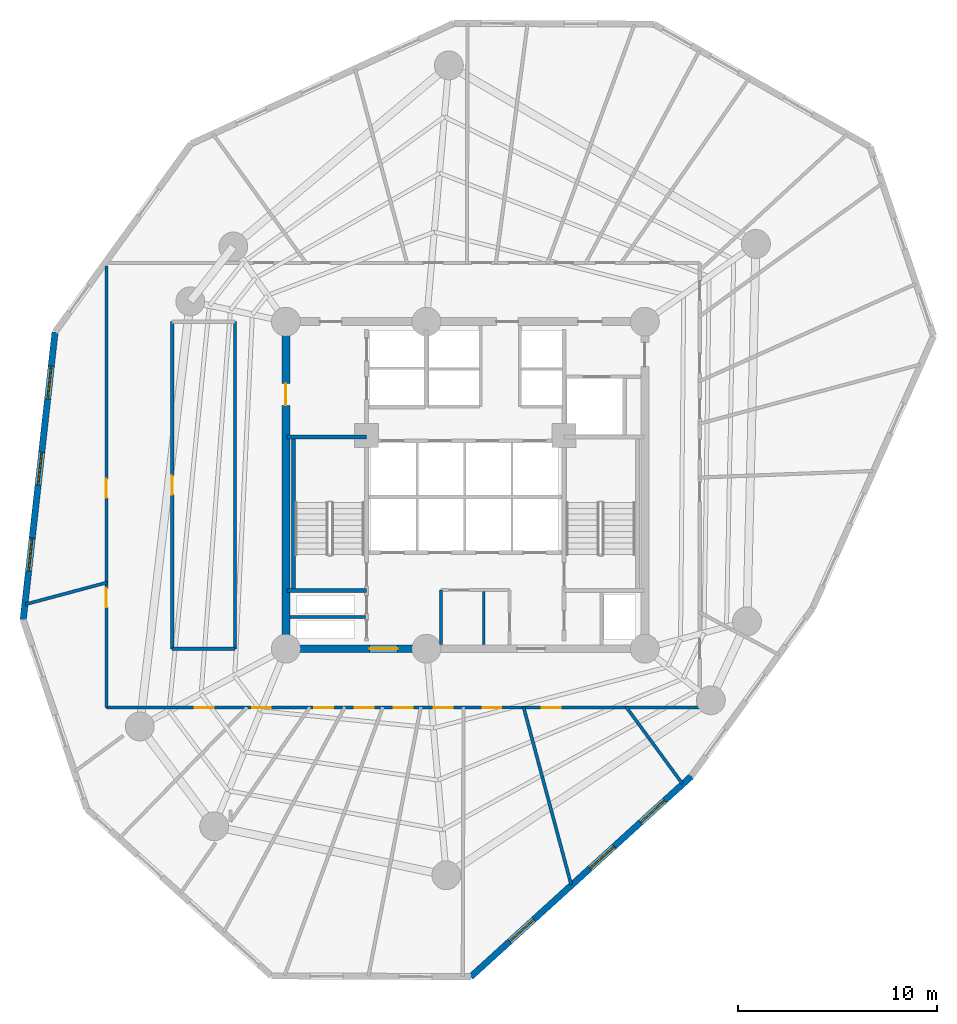
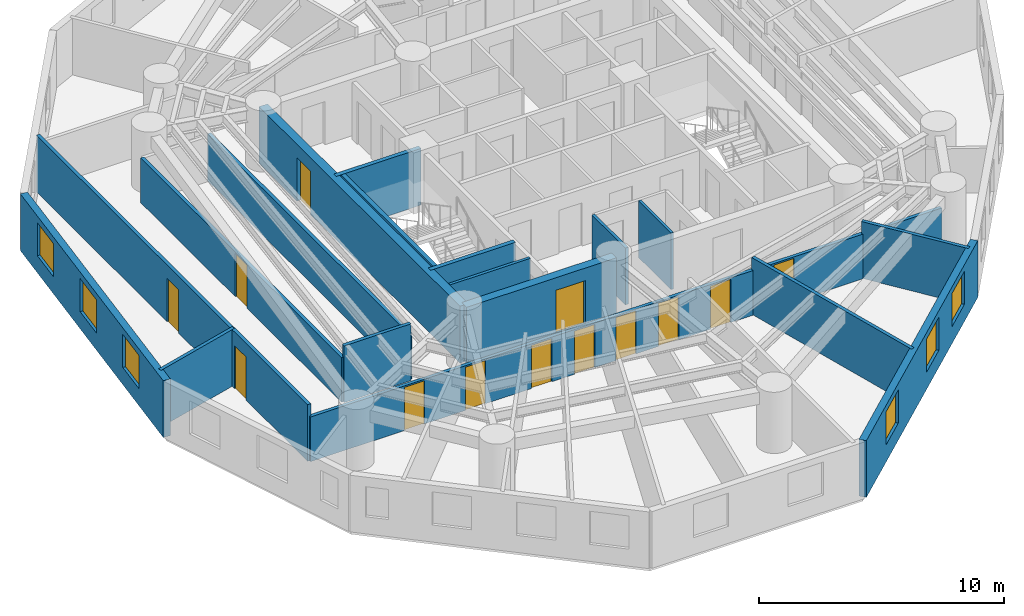
# One storey, part 3 of 8: 18 walls, 13 doors, 6 windows, 19 openings.
"""IFC4 building model written with IfcOpenShell, lengths in metres."""

from ifc_helpers import new_model, si_unit, direction, frame, frame_2d, origin, origin_with_axes, place, context, subcontext, project, spatial, rectangle, extrude, source, transform, mapped, material, layer, layer_set, type_object, element, fill, save


model = new_model("IFC4")

# Units and contexts
model_context = context("Model", 3, precision=1e-05, world=origin(), true_north=direction((0.0, 1.0)))
body_context = subcontext(model_context, "Body", "Model", "MODEL_VIEW")
ifc_project = project(units=[si_unit("LENGTHUNIT", "METRE"), si_unit("AREAUNIT", "SQUARE_METRE"), si_unit("VOLUMEUNIT", "CUBIC_METRE"), si_unit("PLANEANGLEUNIT", "RADIAN"), si_unit("MASSUNIT", "GRAM", prefix="KILO")], contexts=[model_context])

# Site, building, storey
site_placement = place(None, origin())
site = spatial("IfcSite", under=ifc_project, at=site_placement, CompositionType="ELEMENT")
building_placement = place(site_placement, origin())
building = spatial("IfcBuilding", under=site, at=building_placement, Name="Karkom Vertical University and Central Library", CompositionType="ELEMENT")
storey_placement = place(building_placement, frame((0.0, 0.0, 99.25)))
storey = spatial("IfcBuildingStorey", under=building, at=storey_placement, Name="L26", CompositionType="ELEMENT", Elevation=99.25)

# Wall, openings, windows
ifc_material_1 = material(Name="Brick-faced precast concrete C45/55", Category="masonry")
ifc_layer_1 = layer(ifc_material_1, 0.320068359375)
ifc_layer_set_1 = layer_set([ifc_layer_1], Name="Brick-faced precast concrete C45/55")
wall_type_1 = type_object("IfcWallType", Name="ENV-WL-BRK-320", PredefinedType="SOLIDWALL", material=ifc_layer_set_1)
wall_1_placement = place(storey_placement, frame((7.925537109375, 34.18212890625, 0.0), z_axis=(0.0, 0.0, 1.0), x_axis=(-0.11012873841, -0.993917331057, 0.0)))
wall_1 = element("IfcWall", 1, at=wall_1_placement, inside=storey, type_object=wall_type_1, Name="Level 26 Brick-Faced Precast Facade Wall 02", PredefinedType="SOLIDWALL", context=body_context, shape_type="SweptSolid", body=[
    extrude(rectangle(XDim=14.513916015625, YDim=0.320068359375, at=frame_2d((7.2568359375, 0.0))), origin(), (0.0, 0.0, 1.0), 2.824951171875),
])
opening_1_placement = place(wall_1_placement, frame((1.725341796875, 0.0, 0.85009765625)))
opening_1 = element("IfcOpeningElement", 2, at=opening_1_placement, cuts=wall_1, Name="Opening WN-06", PredefinedType="OPENING", context=body_context, shape_type="SweptSolid", body=[
    extrude(rectangle(XDim=1.64990234375, YDim=1.64990234375, at=frame_2d((0.824951171875, 0.824951171875))), frame((0.0, 0.169921875, 0.0), z_axis=(0.0, -1.0, 0.0), x_axis=(1.0, 0.0, 0.0)), (0.0, 0.0, 1.0), 0.340087890625),
])
opening_2_placement = place(wall_1_placement, frame((6.066162109375, 0.0, 0.85009765625)))
opening_2 = element("IfcOpeningElement", 3, at=opening_2_placement, cuts=wall_1, Name="Opening WN-06", PredefinedType="OPENING", context=body_context, shape_type="SweptSolid", body=[
    extrude(rectangle(XDim=1.64990234375, YDim=1.64990234375, at=frame_2d((0.824951171875, 0.824951171875))), frame((0.0, 0.169921875, 0.0), z_axis=(0.0, -1.0, 0.0), x_axis=(1.0, 0.0, 0.0)), (0.0, 0.0, 1.0), 0.340087890625),
])
opening_3_placement = place(wall_1_placement, frame((10.40673828125, 0.0, 0.85009765625)))
opening_3 = element("IfcOpeningElement", 4, at=opening_3_placement, cuts=wall_1, Name="Opening WN-06", PredefinedType="OPENING", context=body_context, shape_type="SweptSolid", body=[
    extrude(rectangle(XDim=1.64990234375, YDim=1.64990234375, at=frame_2d((0.824951171875, 0.824951171875))), frame((0.0, 0.169921875, 0.0), z_axis=(0.0, -1.0, 0.0), x_axis=(1.0, 0.0, 0.0)), (0.0, 0.0, 1.0), 0.340087890625),
])
ifc_material_2 = material(Name="Aluminium thermal-break frame with solar-control IGU", Category="aluminium")
window_type = type_object("IfcWindowType", Name="ENV-WIN-WN-06", PartitioningType="SINGLE_PANEL", PredefinedType="WINDOW", material=ifc_material_2)
shared_shape_1 = source(origin_with_axes(), body_context, "Body", "SweptSolid", [
    extrude(rectangle(XDim=1.64990234375, YDim=1.64990234375, at=frame_2d((0.824951171875, 0.824951171875))), frame((0.0, 0.030029296875, 0.0), z_axis=(0.0, -1.0, 0.0), x_axis=(1.0, 0.0, 0.0)), (0.0, 0.0, 1.0), 0.06005859375),
])
window_1_placement = place(opening_1_placement, origin())
window_1 = element("IfcWindow", 5, at=window_1_placement, inside=storey, type_object=window_type, Name="Level 26 Punched Window 2.1", OverallHeight=1.64990234375, OverallWidth=1.64990234375, PartitioningType="SINGLE_PANEL", PredefinedType="WINDOW", context=body_context, shape_type="MappedRepresentation", body=[
    mapped(shared_shape_1, transform((0.0, 0.0, 0.0), scale=1.0)),
])
fill(opening_1, window_1)
window_2_placement = place(opening_2_placement, origin())
window_2 = element("IfcWindow", 6, at=window_2_placement, inside=storey, type_object=window_type, Name="Level 26 Punched Window 2.2", OverallHeight=1.64990234375, OverallWidth=1.64990234375, PartitioningType="SINGLE_PANEL", PredefinedType="WINDOW", context=body_context, shape_type="MappedRepresentation", body=[
    mapped(shared_shape_1, transform((0.0, 0.0, 0.0), scale=1.0)),
])
fill(opening_2, window_2)
window_3_placement = place(opening_3_placement, origin())
window_3 = element("IfcWindow", 7, at=window_3_placement, inside=storey, type_object=window_type, Name="Level 26 Punched Window 2.3", OverallHeight=1.64990234375, OverallWidth=1.64990234375, PartitioningType="SINGLE_PANEL", PredefinedType="WINDOW", context=body_context, shape_type="MappedRepresentation", body=[
    mapped(shared_shape_1, transform((0.0, 0.0, 0.0), scale=1.0)),
])
fill(opening_3, window_3)

wall_2_placement = place(storey_placement, frame((28.772705078125, 1.85009765625, 0.0), z_axis=(0.0, 0.0, 1.0), x_axis=(0.739889815612, 0.672728073409, 0.0)))
wall_2 = element("IfcWall", 8, at=wall_2_placement, inside=storey, type_object=wall_type_1, Name="Level 26 Brick-Faced Precast Facade Wall 06", PredefinedType="SOLIDWALL", context=body_context, shape_type="SweptSolid", body=[
    extrude(rectangle(XDim=14.947509765625, YDim=0.320068359375, at=frame_2d((7.4736328125, 0.0))), origin(), (0.0, 0.0, 1.0), 2.824951171875),
])
opening_4_placement = place(wall_2_placement, frame((2.629150390625, 0.0, 0.85009765625)))
opening_4 = element("IfcOpeningElement", 9, at=opening_4_placement, cuts=wall_2, Name="Opening WN-06", PredefinedType="OPENING", context=body_context, shape_type="SweptSolid", body=[
    extrude(rectangle(XDim=1.64990234375, YDim=1.64990234375, at=frame_2d((0.824951171875, 0.824951171875))), frame((0.0, 0.169921875, 0.0), z_axis=(0.0, -1.0, 0.0), x_axis=(1.0, 0.0, 0.0)), (0.0, 0.0, 1.0), 0.340087890625),
])
opening_5_placement = place(wall_2_placement, frame((8.06298828125, 0.0, 0.85009765625)))
opening_5 = element("IfcOpeningElement", 10, at=opening_5_placement, cuts=wall_2, Name="Opening WN-06", PredefinedType="OPENING", context=body_context, shape_type="SweptSolid", body=[
    extrude(rectangle(XDim=1.64990234375, YDim=1.64990234375, at=frame_2d((0.824951171875, 0.824951171875))), frame((0.0, 0.169921875, 0.0), z_axis=(0.0, -1.0, 0.0), x_axis=(1.0, 0.0, 0.0)), (0.0, 0.0, 1.0), 0.340087890625),
])
opening_6_placement = place(wall_2_placement, frame((11.50244140625, 0.0, 0.85009765625)))
opening_6 = element("IfcOpeningElement", 11, at=opening_6_placement, cuts=wall_2, Name="Opening WN-06", PredefinedType="OPENING", context=body_context, shape_type="SweptSolid", body=[
    extrude(rectangle(XDim=1.64990234375, YDim=1.64990234375, at=frame_2d((0.824951171875, 0.824951171875))), frame((0.0, 0.169921875, 0.0), z_axis=(0.0, -1.0, 0.0), x_axis=(1.0, 0.0, 0.0)), (0.0, 0.0, 1.0), 0.340087890625),
])
window_4_placement = place(opening_4_placement, origin())
window_4 = element("IfcWindow", 12, at=window_4_placement, inside=storey, type_object=window_type, Name="Level 26 Punched Window 6.1", OverallHeight=1.64990234375, OverallWidth=1.64990234375, PartitioningType="SINGLE_PANEL", PredefinedType="WINDOW", context=body_context, shape_type="MappedRepresentation", body=[
    mapped(shared_shape_1, transform((0.0, 0.0, 0.0), scale=1.0)),
])
fill(opening_4, window_4)
window_5_placement = place(opening_5_placement, origin())
window_5 = element("IfcWindow", 13, at=window_5_placement, inside=storey, type_object=window_type, Name="Level 26 Punched Window 6.2", OverallHeight=1.64990234375, OverallWidth=1.64990234375, PartitioningType="SINGLE_PANEL", PredefinedType="WINDOW", context=body_context, shape_type="MappedRepresentation", body=[
    mapped(shared_shape_1, transform((0.0, 0.0, 0.0), scale=1.0)),
])
fill(opening_5, window_5)
window_6_placement = place(opening_6_placement, origin())
window_6 = element("IfcWindow", 14, at=window_6_placement, inside=storey, type_object=window_type, Name="Level 26 Punched Window 6.3", OverallHeight=1.64990234375, OverallWidth=1.64990234375, PartitioningType="SINGLE_PANEL", PredefinedType="WINDOW", context=body_context, shape_type="MappedRepresentation", body=[
    mapped(shared_shape_1, transform((0.0, 0.0, 0.0), scale=1.0)),
])
fill(opening_6, window_6)

# Wall, openings, doors
ifc_material_3 = material(Name="Insulated metal-stud drywall 160mm", Category="gypsum")
ifc_layer_2 = layer(ifc_material_3, 0.159912109375)
ifc_layer_set_2 = layer_set([ifc_layer_2], Name="Insulated metal-stud drywall 160mm")
wall_type_2 = type_object("IfcWallType", Name="INT-WL-COR-160", PredefinedType="PARTITIONING", material=ifc_layer_set_2)
wall_3_placement = place(storey_placement, frame((40.25, 15.35009765625, 0.0), z_axis=(0.0, 0.0, 1.0), x_axis=(-1.0, 0.0, 0.0)))
wall_3 = element("IfcWall", 15, at=wall_3_placement, inside=storey, type_object=wall_type_2, Name="Level 26 Interior Partition Wall L26-CORW-CW-001", PredefinedType="PARTITIONING", context=body_context, shape_type="SweptSolid", body=[
    extrude(rectangle(XDim=29.75, YDim=0.159912109375, at=frame_2d((14.875, 0.0))), origin(), (0.0, 0.0, 1.0), 2.22509765625),
])
opening_7_placement = place(wall_3_placement, frame((24.36865234375, 0.0, 0.0)))
opening_7 = element("IfcOpeningElement", 16, at=opening_7_placement, cuts=wall_3, Name="Opening D-RM1", PredefinedType="OPENING", context=body_context, shape_type="SweptSolid", body=[
    extrude(rectangle(XDim=0.949951171875, YDim=2.14990234375, at=frame_2d((0.47509765625, 1.074951171875))), frame((0.0, 0.08984375, 0.0), z_axis=(0.0, -1.0, 0.0), x_axis=(1.0, 0.0, 0.0)), (0.0, 0.0, 1.0), 0.179931640625),
])
opening_8_placement = place(wall_3_placement, frame((21.49755859375, 0.0, 0.0)))
opening_8 = element("IfcOpeningElement", 17, at=opening_8_placement, cuts=wall_3, Name="Opening D-RM1", PredefinedType="OPENING", context=body_context, shape_type="SweptSolid", body=[
    extrude(rectangle(XDim=0.949951171875, YDim=2.14990234375, at=frame_2d((0.47509765625, 1.074951171875))), frame((0.0, 0.08984375, 0.0), z_axis=(0.0, -1.0, 0.0), x_axis=(1.0, 0.0, 0.0)), (0.0, 0.0, 1.0), 0.179931640625),
])
opening_9_placement = place(wall_3_placement, frame((18.37255859375, 0.0, 0.0)))
opening_9 = element("IfcOpeningElement", 18, at=opening_9_placement, cuts=wall_3, Name="Opening D-RM1", PredefinedType="OPENING", context=body_context, shape_type="SweptSolid", body=[
    extrude(rectangle(XDim=0.949951171875, YDim=2.14990234375, at=frame_2d((0.47509765625, 1.074951171875))), frame((0.0, 0.08984375, 0.0), z_axis=(0.0, -1.0, 0.0), x_axis=(1.0, 0.0, 0.0)), (0.0, 0.0, 1.0), 0.179931640625),
])
opening_10_placement = place(wall_3_placement, frame((16.3466796875, 0.0, 0.0)))
opening_10 = element("IfcOpeningElement", 19, at=opening_10_placement, cuts=wall_3, Name="Opening D-RM1", PredefinedType="OPENING", context=body_context, shape_type="SweptSolid", body=[
    extrude(rectangle(XDim=0.949951171875, YDim=2.14990234375, at=frame_2d((0.47509765625, 1.074951171875))), frame((0.0, 0.08984375, 0.0), z_axis=(0.0, -1.0, 0.0), x_axis=(1.0, 0.0, 0.0)), (0.0, 0.0, 1.0), 0.179931640625),
])
opening_11_placement = place(wall_3_placement, frame((14.39990234375, 0.0, 0.0)))
opening_11 = element("IfcOpeningElement", 20, at=opening_11_placement, cuts=wall_3, Name="Opening D-RM1", PredefinedType="OPENING", context=body_context, shape_type="SweptSolid", body=[
    extrude(rectangle(XDim=0.949951171875, YDim=2.14990234375, at=frame_2d((0.47509765625, 1.074951171875))), frame((0.0, 0.08984375, 0.0), z_axis=(0.0, -1.0, 0.0), x_axis=(1.0, 0.0, 0.0)), (0.0, 0.0, 1.0), 0.179931640625),
])
opening_12_placement = place(wall_3_placement, frame((12.3857421875, 0.0, 0.0)))
opening_12 = element("IfcOpeningElement", 21, at=opening_12_placement, cuts=wall_3, Name="Opening D-RM1", PredefinedType="OPENING", context=body_context, shape_type="SweptSolid", body=[
    extrude(rectangle(XDim=0.949951171875, YDim=2.14990234375, at=frame_2d((0.47509765625, 1.074951171875))), frame((0.0, 0.08984375, 0.0), z_axis=(0.0, -1.0, 0.0), x_axis=(1.0, 0.0, 0.0)), (0.0, 0.0, 1.0), 0.179931640625),
])
opening_13_placement = place(wall_3_placement, frame((9.9375, 0.0, 0.0)))
opening_13 = element("IfcOpeningElement", 22, at=opening_13_placement, cuts=wall_3, Name="Opening D-RM1", PredefinedType="OPENING", context=body_context, shape_type="SweptSolid", body=[
    extrude(rectangle(XDim=0.949951171875, YDim=2.14990234375, at=frame_2d((0.47509765625, 1.074951171875))), frame((0.0, 0.08984375, 0.0), z_axis=(0.0, -1.0, 0.0), x_axis=(1.0, 0.0, 0.0)), (0.0, 0.0, 1.0), 0.179931640625),
])
opening_14_placement = place(wall_3_placement, frame((6.96240234375, 0.0, 0.0)))
opening_14 = element("IfcOpeningElement", 23, at=opening_14_placement, cuts=wall_3, Name="Opening D-RM1", PredefinedType="OPENING", context=body_context, shape_type="SweptSolid", body=[
    extrude(rectangle(XDim=0.949951171875, YDim=2.14990234375, at=frame_2d((0.47509765625, 1.074951171875))), frame((0.0, 0.08984375, 0.0), z_axis=(0.0, -1.0, 0.0), x_axis=(1.0, 0.0, 0.0)), (0.0, 0.0, 1.0), 0.179931640625),
])
ifc_material_4 = material(Name="Solid-core oak veneer door", Category="wood")
door_type_1 = type_object("IfcDoorType", Name="INT-DR-RM1", OperationType="NOTDEFINED", PredefinedType="DOOR", material=ifc_material_4)
shared_shape_2 = source(origin_with_axes(), body_context, "Body", "SweptSolid", [
    extrude(rectangle(XDim=0.949951171875, YDim=2.14990234375, at=frame_2d((0.47509765625, 1.074951171875))), frame((0.0, 0.02490234375, 0.0), z_axis=(0.0, -1.0, 0.0), x_axis=(1.0, 0.0, 0.0)), (0.0, 0.0, 1.0), 0.050048828125),
])
door_1_placement = place(opening_7_placement, origin())
door_1 = element("IfcDoor", 24, at=door_1_placement, inside=storey, type_object=door_type_1, Name="Level 26 Room Entry Door 020", OperationType="SINGLE_SWING_LEFT", OverallHeight=2.14990234375, OverallWidth=0.949951171875, PredefinedType="DOOR", context=body_context, shape_type="MappedRepresentation", body=[
    mapped(shared_shape_2, transform((0.0, 0.0, 0.0), scale=1.0)),
])
fill(opening_7, door_1)
door_2_placement = place(opening_8_placement, origin())
door_2 = element("IfcDoor", 25, at=door_2_placement, inside=storey, type_object=door_type_1, Name="Level 26 Room Entry Door 030", OperationType="SINGLE_SWING_RIGHT", OverallHeight=2.14990234375, OverallWidth=0.949951171875, PredefinedType="DOOR", context=body_context, shape_type="MappedRepresentation", body=[
    mapped(shared_shape_2, transform((0.0, 0.0, 0.0), scale=1.0)),
])
fill(opening_8, door_2)
door_3_placement = place(opening_9_placement, origin())
door_3 = element("IfcDoor", 26, at=door_3_placement, inside=storey, type_object=door_type_1, Name="Level 26 Room Entry Door 040", OperationType="SINGLE_SWING_LEFT", OverallHeight=2.14990234375, OverallWidth=0.949951171875, PredefinedType="DOOR", context=body_context, shape_type="MappedRepresentation", body=[
    mapped(shared_shape_2, transform((0.0, 0.0, 0.0), scale=1.0)),
])
fill(opening_9, door_3)
door_4_placement = place(opening_10_placement, origin())
door_4 = element("IfcDoor", 27, at=door_4_placement, inside=storey, type_object=door_type_1, Name="Level 26 Room Entry Door 050", OperationType="SINGLE_SWING_RIGHT", OverallHeight=2.14990234375, OverallWidth=0.949951171875, PredefinedType="DOOR", context=body_context, shape_type="MappedRepresentation", body=[
    mapped(shared_shape_2, transform((0.0, 0.0, 0.0), scale=1.0)),
])
fill(opening_10, door_4)
door_5_placement = place(opening_11_placement, origin())
door_5 = element("IfcDoor", 28, at=door_5_placement, inside=storey, type_object=door_type_1, Name="Level 26 Room Entry Door 060", OperationType="SINGLE_SWING_LEFT", OverallHeight=2.14990234375, OverallWidth=0.949951171875, PredefinedType="DOOR", context=body_context, shape_type="MappedRepresentation", body=[
    mapped(shared_shape_2, transform((0.0, 0.0, 0.0), scale=1.0)),
])
fill(opening_11, door_5)
door_6_placement = place(opening_12_placement, origin())
door_6 = element("IfcDoor", 29, at=door_6_placement, inside=storey, type_object=door_type_1, Name="Level 26 Room Entry Door 070", OperationType="SINGLE_SWING_RIGHT", OverallHeight=2.14990234375, OverallWidth=0.949951171875, PredefinedType="DOOR", context=body_context, shape_type="MappedRepresentation", body=[
    mapped(shared_shape_2, transform((0.0, 0.0, 0.0), scale=1.0)),
])
fill(opening_12, door_6)
door_7_placement = place(opening_13_placement, origin())
door_7 = element("IfcDoor", 30, at=door_7_placement, inside=storey, type_object=door_type_1, Name="Level 26 Room Entry Door 080", OperationType="SINGLE_SWING_LEFT", OverallHeight=2.14990234375, OverallWidth=0.949951171875, PredefinedType="DOOR", context=body_context, shape_type="MappedRepresentation", body=[
    mapped(shared_shape_2, transform((0.0, 0.0, 0.0), scale=1.0)),
])
fill(opening_13, door_7)
door_8_placement = place(opening_14_placement, origin())
door_8 = element("IfcDoor", 31, at=door_8_placement, inside=storey, type_object=door_type_1, Name="Level 26 Room Entry Door 090", OperationType="SINGLE_SWING_RIGHT", OverallHeight=2.14990234375, OverallWidth=0.949951171875, PredefinedType="DOOR", context=body_context, shape_type="MappedRepresentation", body=[
    mapped(shared_shape_2, transform((0.0, 0.0, 0.0), scale=1.0)),
])
fill(opening_14, door_8)

wall_4_placement = place(storey_placement, frame((10.5, 15.35009765625, 0.0), z_axis=(0.0, 0.0, 1.0), x_axis=(0.0, 1.0, 0.0)))
wall_4 = element("IfcWall", 32, at=wall_4_placement, inside=storey, type_object=wall_type_2, Name="Level 26 Interior Partition Wall L26-CORW-CW-002", PredefinedType="PARTITIONING", context=body_context, shape_type="SweptSolid", body=[
    extrude(rectangle(XDim=22.13818359375, YDim=0.159912109375, at=frame_2d((11.069091796875, 0.0))), origin(), (0.0, 0.0, 1.0), 2.824951171875),
])
opening_15_placement = place(wall_4_placement, frame((5.021484375, 0.0, 0.0)))
opening_15 = element("IfcOpeningElement", 33, at=opening_15_placement, cuts=wall_4, Name="Opening FD-RM2", PredefinedType="OPENING", context=body_context, shape_type="SweptSolid", body=[
    extrude(rectangle(XDim=0.9599609375, YDim=2.14990234375, at=frame_2d((0.47998046875, 1.074951171875))), frame((0.0, 0.08984375, 0.0), z_axis=(0.0, -1.0, 0.0), x_axis=(1.0, 0.0, 0.0)), (0.0, 0.0, 1.0), 0.179931640625),
])
opening_16_placement = place(wall_4_placement, frame((10.518310546875, 0.0, 0.0)))
opening_16 = element("IfcOpeningElement", 34, at=opening_16_placement, cuts=wall_4, Name="Opening D-RM1", PredefinedType="OPENING", context=body_context, shape_type="SweptSolid", body=[
    extrude(rectangle(XDim=0.949951171875, YDim=2.14990234375, at=frame_2d((0.47509765625, 1.074951171875))), frame((0.0, 0.08984375, 0.0), z_axis=(0.0, -1.0, 0.0), x_axis=(1.0, 0.0, 0.0)), (0.0, 0.0, 1.0), 0.179931640625),
])
ifc_material_5 = material(Name="Fire-rated oak veneer door", Category="wood")
door_type_2 = type_object("IfcDoorType", Name="INT-DR-FRM2", OperationType="NOTDEFINED", PredefinedType="DOOR", material=ifc_material_5)
shared_shape_3 = source(origin_with_axes(), body_context, "Body", "SweptSolid", [
    extrude(rectangle(XDim=0.9599609375, YDim=2.14990234375, at=frame_2d((0.47998046875, 1.074951171875))), frame((0.0, 0.02490234375, 0.0), z_axis=(0.0, -1.0, 0.0), x_axis=(1.0, 0.0, 0.0)), (0.0, 0.0, 1.0), 0.050048828125),
])
door_9_placement = place(opening_15_placement, origin())
door_9 = element("IfcDoor", 35, at=door_9_placement, inside=storey, type_object=door_type_2, Name="Level 26 Room Entry Door 010", OperationType="SINGLE_SWING_RIGHT", OverallHeight=2.14990234375, OverallWidth=0.9599609375, PredefinedType="DOOR", context=body_context, shape_type="MappedRepresentation", body=[
    mapped(shared_shape_3, transform((0.0, 0.0, 0.0), scale=1.0)),
])
fill(opening_15, door_9)
door_10_placement = place(opening_16_placement, origin())
door_10 = element("IfcDoor", 36, at=door_10_placement, inside=storey, type_object=door_type_1, Name="Level 26 Room Entry Door 240", OperationType="SINGLE_SWING_LEFT", OverallHeight=2.14990234375, OverallWidth=0.949951171875, PredefinedType="DOOR", context=body_context, shape_type="MappedRepresentation", body=[
    mapped(shared_shape_2, transform((0.0, 0.0, 0.0), scale=1.0)),
])
fill(opening_16, door_10)

# Wall, opening, door
wall_5_placement = place(storey_placement, frame((13.800048828125, 34.699951171875, 0.0), z_axis=(0.0, 0.0, 1.0), x_axis=(0.0, -1.0, 0.0)))
wall_5 = element("IfcWall", 37, at=wall_5_placement, inside=storey, type_object=wall_type_2, Name="Level 26 Interior Partition Wall L26-CORW-CW-006", PredefinedType="PARTITIONING", context=body_context, shape_type="SweptSolid", body=[
    extrude(rectangle(XDim=16.39990234375, YDim=0.159912109375, at=frame_2d((8.199951171875, 0.0))), origin(), (0.0, 0.0, 1.0), 2.22509765625),
])
opening_17_placement = place(wall_5_placement, frame((7.72509765625, 0.0, 0.0)))
opening_17 = element("IfcOpeningElement", 38, at=opening_17_placement, cuts=wall_5, Name="Opening D-RM1", PredefinedType="OPENING", context=body_context, shape_type="SweptSolid", body=[
    extrude(rectangle(XDim=0.949951171875, YDim=2.14990234375, at=frame_2d((0.47509765625, 1.074951171875))), frame((0.0, 0.08984375, 0.0), z_axis=(0.0, -1.0, 0.0), x_axis=(1.0, 0.0, 0.0)), (0.0, 0.0, 1.0), 0.179931640625),
])
door_11_placement = place(opening_17_placement, origin())
door_11 = element("IfcDoor", 39, at=door_11_placement, inside=storey, type_object=door_type_1, Name="Level 26 Room Entry Door 000", OperationType="SINGLE_SWING_LEFT", OverallHeight=2.14990234375, OverallWidth=0.949951171875, PredefinedType="DOOR", context=body_context, shape_type="MappedRepresentation", body=[
    mapped(shared_shape_2, transform((0.0, 0.0, 0.0), scale=1.0)),
])
fill(opening_17, door_11)

# Walls
wall_6_placement = place(storey_placement, frame((16.949951171875, 18.300048828125, 0.0), z_axis=(0.0, 0.0, 1.0), x_axis=(0.0, 1.0, 0.0)))
element("IfcWall", 40, at=wall_6_placement, inside=storey, type_object=wall_type_2, Name="Level 26 Interior Partition Wall L26-CORW-CW-008", PredefinedType="PARTITIONING", context=body_context, shape_type="SweptSolid", body=[
    extrude(rectangle(XDim=16.39990234375, YDim=0.159912109375, at=frame_2d((8.199951171875, 0.0))), origin(), (0.0, 0.0, 1.0), 2.324951171875),
])
wall_7_placement = place(storey_placement, frame((31.41845703125, 15.37890625, 0.0), z_axis=(0.0, 0.0, 1.0), x_axis=(0.258881626797, -0.965909055402, 0.0)))
element("IfcWall", 41, at=wall_7_placement, inside=storey, type_object=wall_type_2, Name="Level 26 Interior Partition Wall L26-PW-011", PredefinedType="PARTITIONING", context=body_context, shape_type="SweptSolid", body=[
    extrude(rectangle(XDim=9.22314453125, YDim=0.159912109375, at=frame_2d((4.611572265625, 0.0))), origin(), (0.0, 0.0, 1.0), 2.824951171875),
])
wall_8_placement = place(storey_placement, frame((36.561279296875, 15.38623046875, 0.0), z_axis=(0.0, 0.0, 1.0), x_axis=(0.590678841896, -0.806906751574, 0.0)))
element("IfcWall", 42, at=wall_8_placement, inside=storey, type_object=wall_type_2, Name="Level 26 Interior Partition Wall L26-PW-012", PredefinedType="PARTITIONING", context=body_context, shape_type="SweptSolid", body=[
    extrude(rectangle(XDim=4.777099609375, YDim=0.159912109375, at=frame_2d((2.388671875, 0.0))), origin(), (0.0, 0.0, 1.0), 2.824951171875),
])
wall_9_placement = place(storey_placement, frame((6.4423828125, 20.527587890625, 0.0), z_axis=(0.0, 0.0, 1.0), x_axis=(0.965915454006, 0.258857751886, 0.0)))
element("IfcWall", 43, at=wall_9_placement, inside=storey, type_object=wall_type_2, Name="Level 26 Interior Partition Wall L26-PW-002", PredefinedType="PARTITIONING", context=body_context, shape_type="SweptSolid", body=[
    extrude(rectangle(XDim=4.24609375, YDim=0.159912109375, at=frame_2d((2.123046875, 0.0))), origin(), (0.0, 0.0, 1.0), 2.824951171875),
])
wall_10_placement = place(storey_placement, frame((13.800048828125, 18.300048828125, 0.0), z_axis=(0.0, 0.0, 1.0), x_axis=(1.0, 0.0, 0.0)))
element("IfcWall", 44, at=wall_10_placement, inside=storey, type_object=wall_type_2, Name="Level 26 Interior Partition Wall L26-CORW-CW-007", PredefinedType="PARTITIONING", context=body_context, shape_type="SweptSolid", body=[
    extrude(rectangle(XDim=3.14990234375, YDim=0.159912109375, at=frame_2d((1.574951171875, 0.0))), origin(), (0.0, 0.0, 1.0), 2.824951171875),
])
ifc_material_6 = material(Name="Moisture-resistant drywall 120mm", Category="gypsum")
ifc_layer_3 = layer(ifc_material_6, 0.1201171875)
ifc_layer_set_3 = layer_set([ifc_layer_3], Name="Moisture-resistant drywall 120mm")
wall_type_3 = type_object("IfcWallType", Name="INT-WL-INT-120", PredefinedType="PARTITIONING", material=ifc_layer_set_3)
wall_11_placement = place(storey_placement, frame((29.419921875, 18.507080078125, 0.0), z_axis=(0.0, 0.0, 1.0), x_axis=(0.0, 1.0, 0.0)))
element("IfcWall", 45, at=wall_11_placement, inside=storey, type_object=wall_type_3, Name="Level 26 Interior Partition Wall L26-CW-K3-DIV", PredefinedType="PARTITIONING", context=body_context, shape_type="SweptSolid", body=[
    extrude(rectangle(XDim=2.66162109375, YDim=0.1201171875, at=frame_2d((1.330810546875, 0.0))), origin(), (0.0, 0.0, 1.0), 2.824951171875),
])
ifc_material_7 = material(Name="Metal-stud gypsum partition 140mm", Category="gypsum")
ifc_layer_4 = layer(ifc_material_7, 0.139892578125)
ifc_layer_set_4 = layer_set([ifc_layer_4], Name="Metal-stud gypsum partition 140mm")
wall_type_4 = type_object("IfcWallType", Name="INT-WL-SUB-140", PredefinedType="PARTITIONING", material=ifc_layer_set_4)
wall_12_placement = place(storey_placement, frame((27.280029296875, 18.507080078125, 0.0), z_axis=(0.0, 0.0, 1.0), x_axis=(0.0, 1.0, 0.0)))
element("IfcWall", 46, at=wall_12_placement, inside=storey, type_object=wall_type_4, Name="Level 26 Interior Partition Wall L26-CW-KBAY-W", PredefinedType="PARTITIONING", context=body_context, shape_type="SweptSolid", body=[
    extrude(rectangle(XDim=2.73291015625, YDim=0.139892578125, at=frame_2d((1.366455078125, 0.0))), origin(), (0.0, 0.0, 1.0), 2.824951171875),
])
ifc_layer_5 = layer(ifc_material_7, 0.139892578125)
ifc_layer_set_5 = layer_set([ifc_layer_5], Name="Metal-stud gypsum partition 140mm")
wall_type_5 = type_object("IfcWallType", Name="INT-WL-SUB-140H", PredefinedType="PARTITIONING", material=ifc_layer_set_5)
wall_13_placement = place(storey_placement, frame((19.70703125, 19.889892578125, 0.0), z_axis=(0.0, 0.0, 1.0), x_axis=(1.0, 0.0, 0.0)))
element("IfcWall", 47, at=wall_13_placement, inside=storey, type_object=wall_type_5, Name="Level 26 Interior Partition Wall L26-CW-RIS-W", PredefinedType="PARTITIONING", context=body_context, shape_type="SweptSolid", body=[
    extrude(rectangle(XDim=3.789794921875, YDim=0.139892578125, at=frame_2d((1.89501953125, 0.0))), origin(), (0.0, 0.0, 1.0), 2.824951171875),
])

# Wall, opening, door
ifc_material_8 = material(Name="Concrete C50/60", Category="concrete")
ifc_layer_6 = layer(ifc_material_8, 0.39990234375)
ifc_layer_set_6 = layer_set([ifc_layer_6], Name="Concrete C50/60")
wall_type_6 = type_object("IfcWallType", Name="STR-WL-CW-400", PredefinedType="SHEAR", material=ifc_layer_set_6)
wall_14_placement = place(storey_placement, frame((19.5, 18.300048828125, 0.0), z_axis=(0.0, 0.0, 1.0), x_axis=(1.0, 0.0, 0.0)))
wall_14 = element("IfcWall", 48, at=wall_14_placement, inside=storey, type_object=wall_type_6, Name="Level 26 Central Core Shear Wall SW1", PredefinedType="SHEAR", context=body_context, shape_type="SweptSolid", body=[
    extrude(rectangle(XDim=7.050048828125, YDim=0.39990234375, at=frame_2d((3.52490234375, 0.0))), origin(), (0.0, 0.0, 1.0), 2.824951171875),
])
opening_18_placement = place(wall_14_placement, frame((4.199951171875, 0.0, 0.0)))
opening_18 = element("IfcOpeningElement", 49, at=opening_18_placement, cuts=wall_14, Name="Opening FD-CLB", PredefinedType="OPENING", context=body_context, shape_type="SweptSolid", body=[
    extrude(rectangle(XDim=1.39990234375, YDim=2.199951171875, at=frame_2d((0.699951171875, 1.10009765625))), frame((0.0, 0.2099609375, 0.0), z_axis=(0.0, -1.0, 0.0), x_axis=(1.0, 0.0, 0.0)), (0.0, 0.0, 1.0), 0.419921875),
])
ifc_material_9 = material(Name="Painted steel fire door", Category="steel")
door_type_3 = type_object("IfcDoorType", Name="INT-DR-CLB", OperationType="DOUBLE_DOOR_SINGLE_SWING", PredefinedType="DOOR", material=ifc_material_9)
shared_shape_4 = source(origin_with_axes(), body_context, "Body", "SweptSolid", [
    extrude(rectangle(XDim=1.39990234375, YDim=2.199951171875, at=frame_2d((0.699951171875, 1.10009765625))), frame((0.0, 0.02490234375, 0.0), z_axis=(0.0, -1.0, 0.0), x_axis=(1.0, 0.0, 0.0)), (0.0, 0.0, 1.0), 0.050048828125),
])
door_12_placement = place(opening_18_placement, origin())
door_12 = element("IfcDoor", 50, at=door_12_placement, inside=storey, type_object=door_type_3, Name="Level 26 South Core Lobby West Exit Door", OperationType="DOUBLE_DOOR_SINGLE_SWING", OverallHeight=2.199951171875, OverallWidth=1.39990234375, PredefinedType="DOOR", context=body_context, shape_type="MappedRepresentation", body=[
    mapped(shared_shape_4, transform((0.0, 0.0, 0.0), scale=1.0)),
])
fill(opening_18, door_12)

wall_15_placement = place(storey_placement, frame((19.5, 34.699951171875, 0.0), z_axis=(0.0, 0.0, 1.0), x_axis=(0.0, -1.0, 0.0)))
wall_15 = element("IfcWall", 51, at=wall_15_placement, inside=storey, type_object=wall_type_6, Name="Level 26 Central Core Shear Wall WW", PredefinedType="SHEAR", context=body_context, shape_type="SweptSolid", body=[
    extrude(rectangle(XDim=16.39990234375, YDim=0.39990234375, at=frame_2d((8.199951171875, 0.0))), origin(), (0.0, 0.0, 1.0), 2.824951171875),
])
opening_19_placement = place(wall_15_placement, frame((3.10009765625, 0.0, 0.0)))
opening_19 = element("IfcOpeningElement", 52, at=opening_19_placement, cuts=wall_15, Name="Opening FD-FFL", PredefinedType="OPENING", context=body_context, shape_type="SweptSolid", body=[
    extrude(rectangle(XDim=1.10009765625, YDim=2.14990234375, at=frame_2d((0.550048828125, 1.074951171875))), frame((0.0, 0.2099609375, 0.0), z_axis=(0.0, -1.0, 0.0), x_axis=(1.0, 0.0, 0.0)), (0.0, 0.0, 1.0), 0.419921875),
])
ifc_material_10 = material(Name="Painted steel smoke-seal fire door", Category="steel")
door_type_4 = type_object("IfcDoorType", Name="INT-DR-FFL", OperationType="NOTDEFINED", PredefinedType="DOOR", material=ifc_material_10)
shared_shape_5 = source(origin_with_axes(), body_context, "Body", "SweptSolid", [
    extrude(rectangle(XDim=1.10009765625, YDim=2.14990234375, at=frame_2d((0.550048828125, 1.074951171875))), frame((0.0, 0.02490234375, 0.0), z_axis=(0.0, -1.0, 0.0), x_axis=(1.0, 0.0, 0.0)), (0.0, 0.0, 1.0), 0.050048828125),
])
door_13_placement = place(opening_19_placement, origin())
door_13 = element("IfcDoor", 53, at=door_13_placement, inside=storey, type_object=door_type_4, Name="Level 26 West Corridor Firefighting Lobby Door", OperationType="SINGLE_SWING_RIGHT", OverallHeight=2.14990234375, OverallWidth=1.10009765625, PredefinedType="DOOR", context=body_context, shape_type="MappedRepresentation", body=[
    mapped(shared_shape_5, transform((0.0, 0.0, 0.0), scale=1.0)),
])
fill(opening_19, door_13)

# Walls
ifc_material_11 = material(Name="Concrete C45/55", Category="concrete")
ifc_layer_7 = layer(ifc_material_11, 0.199951171875)
ifc_layer_set_7 = layer_set([ifc_layer_7], Name="Concrete C45/55")
wall_type_7 = type_object("IfcWallType", Name="STR-WL-ST-200", PredefinedType="SHEAR", material=ifc_layer_set_7)
wall_16_placement = place(storey_placement, frame((19.875, 21.320068359375, 0.0), z_axis=(0.0, 0.0, 1.0), x_axis=(0.0, 1.0, 0.0)))
element("IfcWall", 54, at=wall_16_placement, inside=storey, type_object=wall_type_7, Name="Level 26 Core Shaft Wall L26-CW-ST1-W", PredefinedType="SHEAR", context=body_context, shape_type="SweptSolid", body=[
    extrude(rectangle(XDim=7.5, YDim=0.199951171875, at=frame_2d((3.75, 0.0))), origin(), (0.0, 0.0, 1.0), 2.824951171875),
])
for number, where, z_axis, x_axis, name in (
    (55, (19.550048828125, 21.215087890625, 0.0), (0.0, 0.0, 1.0), (1.0, 0.0, 0.0), "Level 26 Core Shaft Wall L26-CW-ST1-S"),
    (56, (19.550048828125, 28.925048828125, 0.0), (0.0, 0.0, 1.0), (1.0, 0.0, 0.0), "Level 26 Core Shaft Wall L26-CW-ST1-N"),
):
    element("IfcWall", number, at=place(storey_placement, frame(where, z_axis=z_axis, x_axis=x_axis)), inside=storey, type_object=wall_type_7, Name=name, PredefinedType="SHEAR", context=body_context, shape_type="SweptSolid", body=[
        extrude(rectangle(XDim=3.994873046875, YDim=0.199951171875, at=frame_2d((1.99755859375, 0.0))), origin(), (0.0, 0.0, 1.0), 2.824951171875),
    ])

save(model, "model.ifc")
